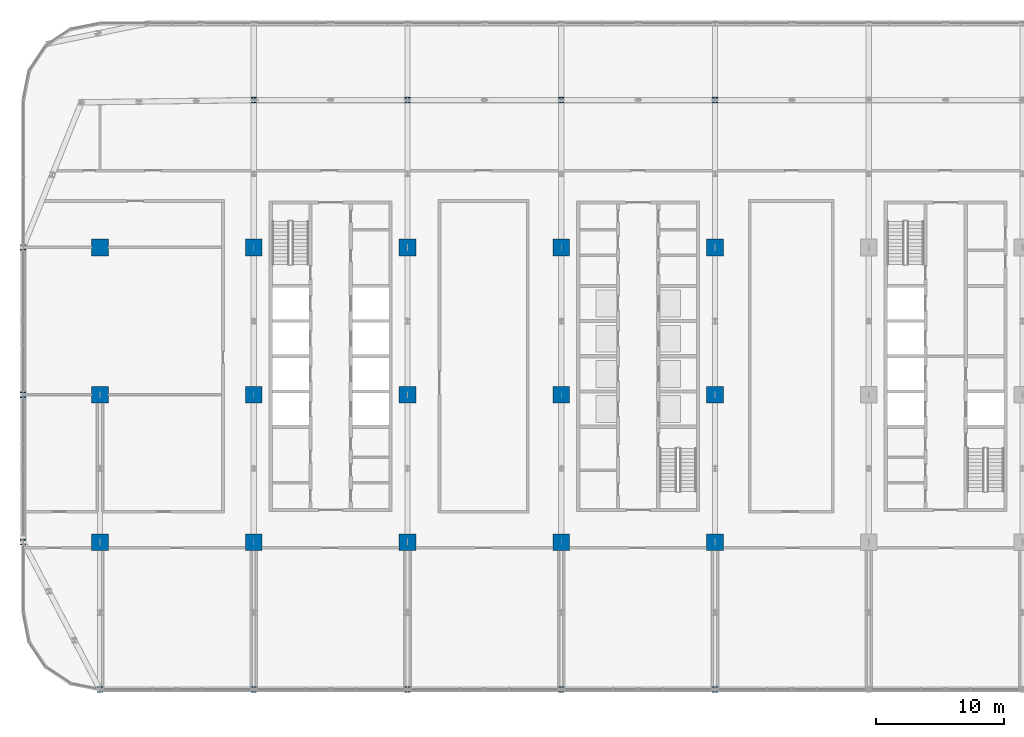
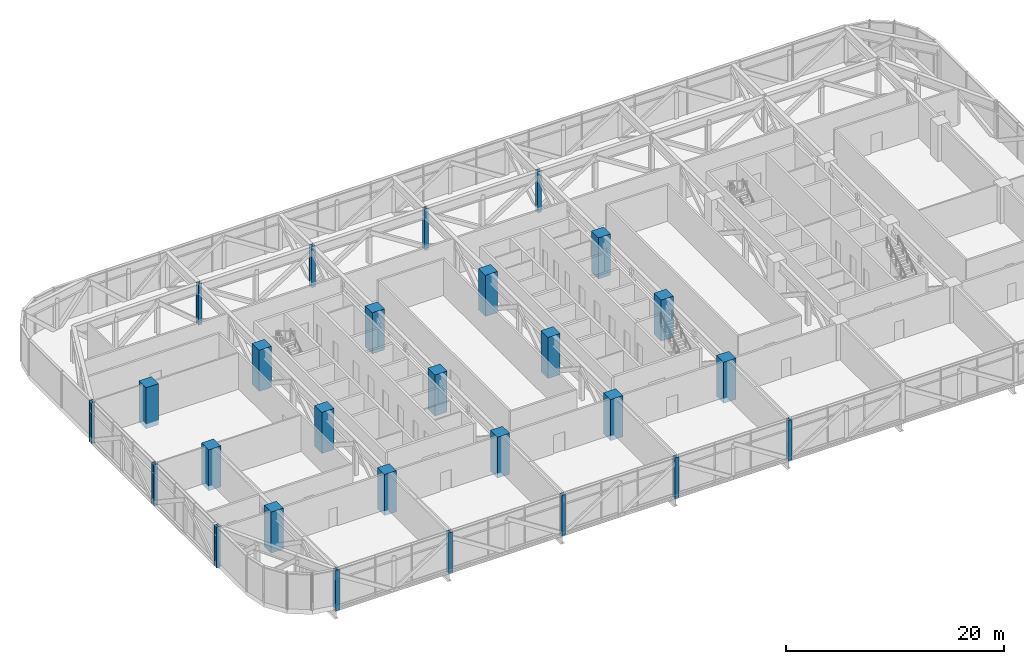
# One storey, part 1 of 30: 27 columns.
"""IFC4 building model written with IfcOpenShell, lengths in metres."""

from ifc_helpers import new_model, si_unit, direction, frame, origin, origin_2d, place, context, subcontext, project, spatial, rectangle, i_section, extrude, material, material_profile, profile_set, type_object, element, save


model = new_model("IFC4")

# Units and contexts
model_context = context("Model", 3, precision=1e-05, world=origin(), true_north=direction((0.0, 1.0)))
body_context = subcontext(model_context, "Body", "Model", "MODEL_VIEW")
ifc_project = project(units=[si_unit("LENGTHUNIT", "METRE"), si_unit("AREAUNIT", "SQUARE_METRE"), si_unit("VOLUMEUNIT", "CUBIC_METRE"), si_unit("PLANEANGLEUNIT", "RADIAN"), si_unit("MASSUNIT", "GRAM", prefix="KILO")], contexts=[model_context])

# Site, building, storey
site_placement = place(None, origin())
site = spatial("IfcSite", under=ifc_project, at=site_placement, CompositionType="ELEMENT")
building_placement = place(site_placement, origin())
building = spatial("IfcBuilding", under=site, at=building_placement, Name="Mahtab Terrace Research Tower", CompositionType="ELEMENT")
storey_placement = place(building_placement, frame((0.0, 0.0, 154.800048828125)))
storey = spatial("IfcBuildingStorey", under=building, at=storey_placement, Name="L36", CompositionType="ELEMENT", Elevation=154.800048828125)

# Columns
ifc_material_1 = material(Name="Concrete C70/85", Category="concrete")
ifc_material_profile_1 = material_profile(ifc_material_1, rectangle(XDim=1.300048828125, YDim=1.300048828125, at=origin_2d()), Name="RC column 1300x1300")
ifc_profile_set_1 = profile_set([ifc_material_profile_1], Name="Concrete C70/85")
column_type_1 = type_object("IfcColumnType", Name="RC column 1300x1300", PredefinedType="COLUMN", material=ifc_profile_set_1)
for number, where, z_axis, x_axis, name in (
    (1, (-42.0, -11.5, -0.550048828125), (0.0, 0.0, 1.0), (1.0, 0.0, 0.0), "Column RC-1A L36"),
    (2, (-42.0, 0.0, -0.550048828125), (0.0, 0.0, 1.0), (1.0, 0.0, 0.0), "Column RC-1B L36"),
    (3, (-42.0, 11.5, -0.550048828125), (0.0, 0.0, 1.0), (1.0, 0.0, 0.0), "Column RC-1C L36"),
    (4, (-30.0, -11.5, -0.550048828125), (0.0, 0.0, 1.0), (1.0, 0.0, 0.0), "Column RC-2A L36"),
    (5, (-30.0, 0.0, -0.550048828125), (0.0, 0.0, 1.0), (1.0, 0.0, 0.0), "Column RC-2B L36"),
    (6, (-30.0, 11.5, -0.550048828125), (0.0, 0.0, 1.0), (1.0, 0.0, 0.0), "Column RC-2C L36"),
    (7, (-18.0, -11.5, -0.550048828125), (0.0, 0.0, 1.0), (1.0, 0.0, 0.0), "Column RC-3A L36"),
    (8, (-18.0, 0.0, -0.550048828125), (0.0, 0.0, 1.0), (1.0, 0.0, 0.0), "Column RC-3B L36"),
    (9, (-18.0, 11.5, -0.550048828125), (0.0, 0.0, 1.0), (1.0, 0.0, 0.0), "Column RC-3C L36"),
    (10, (-6.0, -11.5, -0.550048828125), (0.0, 0.0, 1.0), (1.0, 0.0, 0.0), "Column RC-4A L36"),
    (11, (-6.0, 0.0, -0.550048828125), (0.0, 0.0, 1.0), (1.0, 0.0, 0.0), "Column RC-4B L36"),
    (12, (-6.0, 11.5, -0.550048828125), (0.0, 0.0, 1.0), (1.0, 0.0, 0.0), "Column RC-4C L36"),
    (13, (6.0, -11.5, -0.550048828125), (0.0, 0.0, 1.0), (1.0, 0.0, 0.0), "Column RC-5A L36"),
    (14, (6.0, 0.0, -0.550048828125), (0.0, 0.0, 1.0), (1.0, 0.0, 0.0), "Column RC-5B L36"),
    (15, (6.0, 11.5, -0.550048828125), (0.0, 0.0, 1.0), (1.0, 0.0, 0.0), "Column RC-5C L36"),
):
    element("IfcColumn", number, at=place(storey_placement, frame(where, z_axis=z_axis, x_axis=x_axis)), inside=storey, type_object=column_type_1, Name=name, PredefinedType="COLUMN", context=body_context, shape_type="SweptSolid", body=[
        extrude(rectangle(XDim=1.300048828125, YDim=1.300048828125, at=origin_2d()), origin(), (0.0, 0.0, 1.0), 4.610107421875),
    ])
ifc_material_2 = material(Name="Steel ASTM A992 Gr 50", Category="steel")
ifc_material_profile_2 = material_profile(ifc_material_2, i_section(OverallWidth=0.406494140625, OverallDepth=0.41650390625, WebThickness=0.030029296875, FlangeThickness=0.048095703125, at=origin_2d()), Name="W14X257")
ifc_profile_set_2 = profile_set([ifc_material_profile_2], Name="Steel ASTM A992 Gr 50")
column_type_2 = type_object("IfcColumnType", Name="W14x257 column CS14257", PredefinedType="COLUMN", material=ifc_profile_set_2)
for number, where, z_axis, x_axis, name in (
    (16, (6.0, 23.0, -0.550048828125), (0.0, 0.0, 1.0), (1.0, 0.0, 0.0), "Column SC-004 L36"),
    (17, (-6.0, 23.0, -0.550048828125), (0.0, 0.0, 1.0), (1.0, 0.0, 0.0), "Column SC-005 L36"),
    (18, (-18.0, 23.0, -0.550048828125), (0.0, 0.0, 1.0), (1.0, 0.0, 0.0), "Column SC-006 L36"),
    (19, (-30.0, 23.0, -0.550048828125), (0.0, 0.0, 1.0), (1.0, 0.0, 0.0), "Column SC-007 L36"),
    (20, (-42.0, -23.0, -0.550048828125), (0.0, 0.0, 1.0), (1.0, 0.0, 0.0), "Column SC-012 L36"),
    (21, (-30.0, -23.0, -0.550048828125), (0.0, 0.0, 1.0), (1.0, 0.0, 0.0), "Column SC-013 L36"),
    (22, (-18.0, -23.0, -0.550048828125), (0.0, 0.0, 1.0), (1.0, 0.0, 0.0), "Column SC-014 L36"),
    (23, (-6.0, -23.0, -0.550048828125), (0.0, 0.0, 1.0), (1.0, 0.0, 0.0), "Column SC-015 L36"),
    (24, (6.0, -23.0, -0.550048828125), (0.0, 0.0, 1.0), (1.0, 0.0, 0.0), "Column SC-016 L36"),
):
    element("IfcColumn", number, at=place(storey_placement, frame(where, z_axis=z_axis, x_axis=x_axis)), inside=storey, type_object=column_type_2, Name=name, PredefinedType="COLUMN", context=body_context, shape_type="SweptSolid", body=[
        extrude(i_section(OverallWidth=0.406494140625, OverallDepth=0.41650390625, WebThickness=0.030029296875, FlangeThickness=0.048095703125, at=origin_2d()), origin(), (0.0, 0.0, 1.0), 4.610107421875),
    ])
ifc_material_profile_3 = material_profile(ifc_material_2, i_section(OverallWidth=0.41162109375, OverallDepth=0.434326171875, WebThickness=0.035888671875, FlangeThickness=0.057373046875, at=origin_2d()), Name="W14X311")
ifc_profile_set_3 = profile_set([ifc_material_profile_3], Name="Steel ASTM A992 Gr 50")
column_type_3 = type_object("IfcColumnType", Name="W14x311 column CS14311", PredefinedType="COLUMN", material=ifc_profile_set_3)
for number, where, z_axis, x_axis, name in (
    (25, (-48.0, 11.5, -0.550048828125), (0.0, 0.0, 1.0), (1.0, 0.0, 0.0), "Column SC-009 L36"),
    (26, (-48.0, 0.0, -0.550048828125), (0.0, 0.0, 1.0), (1.0, 0.0, 0.0), "Column SC-010 L36"),
    (27, (-48.0, -11.5, -0.550048828125), (0.0, 0.0, 1.0), (1.0, 0.0, 0.0), "Column SC-011 L36"),
):
    element("IfcColumn", number, at=place(storey_placement, frame(where, z_axis=z_axis, x_axis=x_axis)), inside=storey, type_object=column_type_3, Name=name, PredefinedType="COLUMN", context=body_context, shape_type="SweptSolid", body=[
        extrude(i_section(OverallWidth=0.41162109375, OverallDepth=0.434326171875, WebThickness=0.035888671875, FlangeThickness=0.057373046875, at=origin_2d()), origin(), (0.0, 0.0, 1.0), 4.610107421875),
    ])

save(model, "model.ifc")
